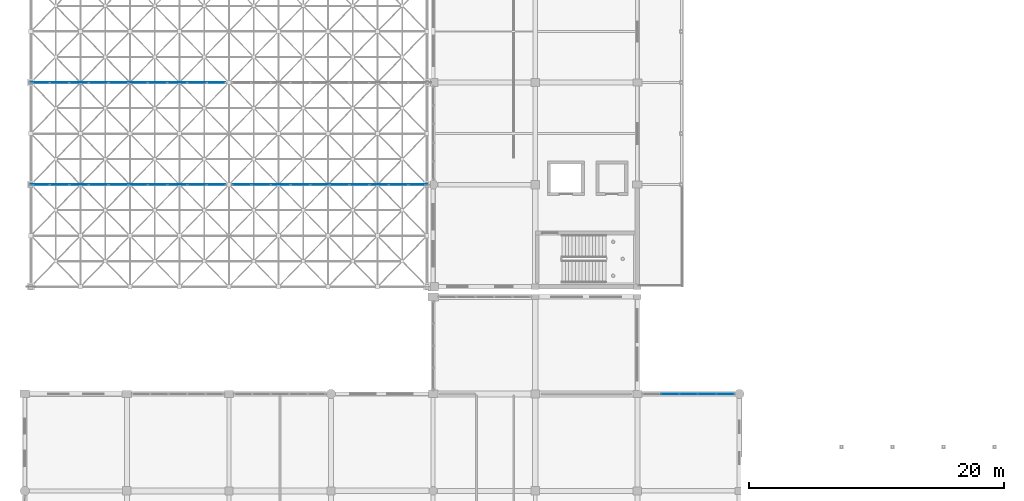
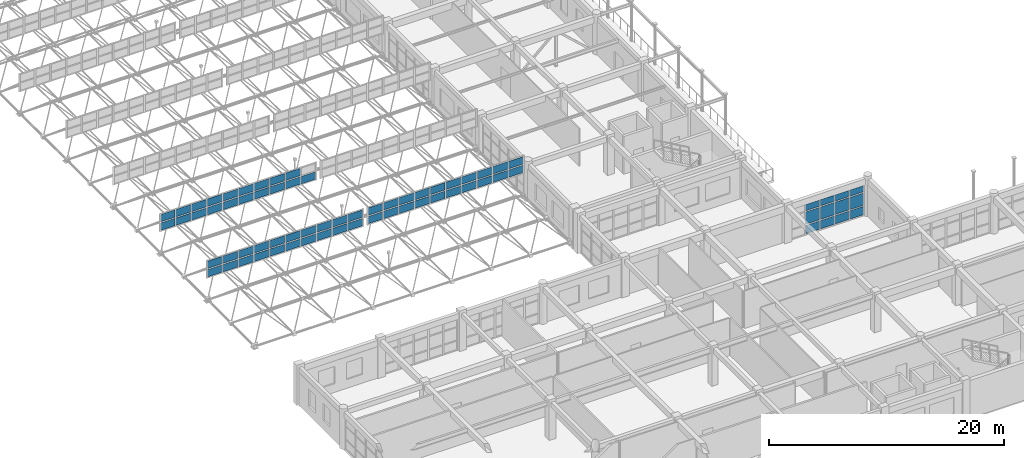
# One storey, part 143 of 195: 71 plates, 4 elements without a shape of their own.
"""IFC4 building model written with IfcOpenShell, lengths in metres."""

from ifc_helpers import new_model, si_unit, direction, frame, origin, origin_2d, place, context, subcontext, project, spatial, rectangle, extrude, material, layer, layer_set, type_object, element, aggregate, save


model = new_model("IFC4")

# Units and contexts
model_context = context("Model", 3, precision=1e-05, world=origin(), true_north=direction((0.0, 1.0)))
body_context = subcontext(model_context, "Body", "Model", "MODEL_VIEW")
ifc_project = project(units=[si_unit("LENGTHUNIT", "METRE"), si_unit("AREAUNIT", "SQUARE_METRE"), si_unit("VOLUMEUNIT", "CUBIC_METRE"), si_unit("PLANEANGLEUNIT", "RADIAN"), si_unit("MASSUNIT", "GRAM", prefix="KILO")], contexts=[model_context])

# Site, building, storey
site_placement = place(None, origin())
site = spatial("IfcSite", under=ifc_project, at=site_placement, CompositionType="ELEMENT")
building_placement = place(site_placement, origin())
building = spatial("IfcBuilding", under=site, at=building_placement, Name="Kharva Crest Polytechnic", CompositionType="ELEMENT")
storey_placement = place(building_placement, frame((0.0, 0.0, 9.0)))
storey = spatial("IfcBuildingStorey", under=building, at=storey_placement, Name="L02", CompositionType="ELEMENT", Elevation=9.0)

# Curtain wall, plates
ifc_material = material(Name="Tempered insulated glass", Category="glass")
curtain_wall_type_1 = type_object("IfcCurtainWallType", Name="CW-SYS-COURT", PredefinedType="USERDEFINED", material=ifc_material)
curtain_wall_1_placement = place(storey_placement, origin())
curtain_wall_1 = element("IfcCurtainWall", 1, at=curtain_wall_1_placement, inside=storey, type_object=curtain_wall_type_1, Name="L02 Glazed Curtain Wall CW-086", ObjectType="CURTAIN WALL", PredefinedType="USERDEFINED")
ifc_layer_1 = layer(ifc_material, 0.02392578125, Name="Tempered insulated glass")
ifc_layer_set_1 = layer_set([ifc_layer_1], Name="Tempered insulated glass")
plate_type_1 = type_object("IfcPlateType", Name="CWP-GLZ-24", PredefinedType="CURTAIN_PANEL", material=ifc_layer_set_1)
plate_1_placement = place(storey_placement, frame((54.887939453125, 30.39990234375, 0.119873046875), z_axis=(0.0, 0.0, 1.0), x_axis=(-1.0, 0.0, 0.0)))
plate_1 = element("IfcPlate", 2, at=plate_1_placement, type_object=plate_type_1, Name="CW-086 panel 1.1", PredefinedType="CURTAIN_PANEL", context=body_context, shape_type="SweptSolid", body=[
    extrude(rectangle(XDim=1.333984375, YDim=0.02392578125, at=origin_2d()), origin(), (0.0, 0.0, 1.0), 0.8701171875),
])
plate_2_placement = place(storey_placement, frame((54.887939453125, 30.39990234375, 1.10986328125), z_axis=(0.0, 0.0, 1.0), x_axis=(-1.0, 0.0, 0.0)))
plate_2 = element("IfcPlate", 3, at=plate_2_placement, type_object=plate_type_1, Name="CW-086 panel 1.2", PredefinedType="CURTAIN_PANEL", context=body_context, shape_type="SweptSolid", body=[
    extrude(rectangle(XDim=1.333984375, YDim=0.02392578125, at=origin_2d()), origin(), (0.0, 0.0, 1.0), 1.280029296875),
])
plate_3_placement = place(storey_placement, frame((54.887939453125, 30.39990234375, 2.51025390625), z_axis=(0.0, 0.0, 1.0), x_axis=(-1.0, 0.0, 0.0)))
plate_3 = element("IfcPlate", 4, at=plate_3_placement, type_object=plate_type_1, Name="CW-086 panel 1.3", PredefinedType="CURTAIN_PANEL", context=body_context, shape_type="SweptSolid", body=[
    extrude(rectangle(XDim=1.333984375, YDim=0.02392578125, at=origin_2d()), origin(), (0.0, 0.0, 1.0), 0.639892578125),
])
plate_4_placement = place(storey_placement, frame((53.4541015625, 30.39990234375, 0.119873046875), z_axis=(0.0, 0.0, 1.0), x_axis=(-1.0, 0.0, 0.0)))
plate_4 = element("IfcPlate", 5, at=plate_4_placement, type_object=plate_type_1, Name="CW-086 panel 2.1", PredefinedType="CURTAIN_PANEL", context=body_context, shape_type="SweptSolid", body=[
    extrude(rectangle(XDim=1.3740234375, YDim=0.02392578125, at=origin_2d()), origin(), (0.0, 0.0, 1.0), 0.8701171875),
])
plate_5_placement = place(storey_placement, frame((53.4541015625, 30.39990234375, 1.10986328125), z_axis=(0.0, 0.0, 1.0), x_axis=(-1.0, 0.0, 0.0)))
plate_5 = element("IfcPlate", 6, at=plate_5_placement, type_object=plate_type_1, Name="CW-086 panel 2.2", PredefinedType="CURTAIN_PANEL", context=body_context, shape_type="SweptSolid", body=[
    extrude(rectangle(XDim=1.3740234375, YDim=0.02392578125, at=origin_2d()), origin(), (0.0, 0.0, 1.0), 1.280029296875),
])
plate_6_placement = place(storey_placement, frame((53.4541015625, 30.39990234375, 2.51025390625), z_axis=(0.0, 0.0, 1.0), x_axis=(-1.0, 0.0, 0.0)))
plate_6 = element("IfcPlate", 7, at=plate_6_placement, type_object=plate_type_1, Name="CW-086 panel 2.3", PredefinedType="CURTAIN_PANEL", context=body_context, shape_type="SweptSolid", body=[
    extrude(rectangle(XDim=1.3740234375, YDim=0.02392578125, at=origin_2d()), origin(), (0.0, 0.0, 1.0), 0.639892578125),
])
plate_7_placement = place(storey_placement, frame((52.0, 30.39990234375, 0.119873046875), z_axis=(0.0, 0.0, 1.0), x_axis=(-1.0, 0.0, 0.0)))
plate_7 = element("IfcPlate", 8, at=plate_7_placement, type_object=plate_type_1, Name="CW-086 panel 3.1", PredefinedType="CURTAIN_PANEL", context=body_context, shape_type="SweptSolid", body=[
    extrude(rectangle(XDim=1.3740234375, YDim=0.02392578125, at=origin_2d()), origin(), (0.0, 0.0, 1.0), 0.8701171875),
])
plate_8_placement = place(storey_placement, frame((52.0, 30.39990234375, 1.10986328125), z_axis=(0.0, 0.0, 1.0), x_axis=(-1.0, 0.0, 0.0)))
plate_8 = element("IfcPlate", 9, at=plate_8_placement, type_object=plate_type_1, Name="CW-086 panel 3.2", PredefinedType="CURTAIN_PANEL", context=body_context, shape_type="SweptSolid", body=[
    extrude(rectangle(XDim=1.3740234375, YDim=0.02392578125, at=origin_2d()), origin(), (0.0, 0.0, 1.0), 1.280029296875),
])
plate_9_placement = place(storey_placement, frame((52.0, 30.39990234375, 2.51025390625), z_axis=(0.0, 0.0, 1.0), x_axis=(-1.0, 0.0, 0.0)))
plate_9 = element("IfcPlate", 10, at=plate_9_placement, type_object=plate_type_1, Name="CW-086 panel 3.3", PredefinedType="CURTAIN_PANEL", context=body_context, shape_type="SweptSolid", body=[
    extrude(rectangle(XDim=1.3740234375, YDim=0.02392578125, at=origin_2d()), origin(), (0.0, 0.0, 1.0), 0.639892578125),
])
plate_10_placement = place(storey_placement, frame((50.5458984375, 30.39990234375, 0.119873046875), z_axis=(0.0, 0.0, 1.0), x_axis=(-1.0, 0.0, 0.0)))
plate_10 = element("IfcPlate", 11, at=plate_10_placement, type_object=plate_type_1, Name="CW-086 panel 4.1", PredefinedType="CURTAIN_PANEL", context=body_context, shape_type="SweptSolid", body=[
    extrude(rectangle(XDim=1.3740234375, YDim=0.02392578125, at=origin_2d()), origin(), (0.0, 0.0, 1.0), 0.8701171875),
])
plate_11_placement = place(storey_placement, frame((50.5458984375, 30.39990234375, 1.10986328125), z_axis=(0.0, 0.0, 1.0), x_axis=(-1.0, 0.0, 0.0)))
plate_11 = element("IfcPlate", 12, at=plate_11_placement, type_object=plate_type_1, Name="CW-086 panel 4.2", PredefinedType="CURTAIN_PANEL", context=body_context, shape_type="SweptSolid", body=[
    extrude(rectangle(XDim=1.3740234375, YDim=0.02392578125, at=origin_2d()), origin(), (0.0, 0.0, 1.0), 1.280029296875),
])
plate_12_placement = place(storey_placement, frame((50.5458984375, 30.39990234375, 2.51025390625), z_axis=(0.0, 0.0, 1.0), x_axis=(-1.0, 0.0, 0.0)))
plate_12 = element("IfcPlate", 13, at=plate_12_placement, type_object=plate_type_1, Name="CW-086 panel 4.3", PredefinedType="CURTAIN_PANEL", context=body_context, shape_type="SweptSolid", body=[
    extrude(rectangle(XDim=1.3740234375, YDim=0.02392578125, at=origin_2d()), origin(), (0.0, 0.0, 1.0), 0.639892578125),
])
aggregate(curtain_wall_1, [plate_1, plate_2, plate_3, plate_4, plate_5, plate_6, plate_7, plate_8, plate_9, plate_10, plate_11, plate_12])

curtain_wall_type_2 = type_object("IfcCurtainWallType", Name="CW-SYS-NORTHLIGHT", PredefinedType="USERDEFINED", material=ifc_material)
curtain_wall_2_placement = place(storey_placement, origin())
curtain_wall_2 = element("IfcCurtainWall", 14, at=curtain_wall_2_placement, inside=storey, type_object=curtain_wall_type_2, Name="L02 Glazed Curtain Wall CW-189", ObjectType="CURTAIN WALL", PredefinedType="USERDEFINED")
ifc_layer_2 = layer(ifc_material, 0.028076171875, Name="Tempered insulated glass")
ifc_layer_set_2 = layer_set([ifc_layer_2], Name="Tempered insulated glass")
plate_type_2 = type_object("IfcPlateType", Name="CWP-GLZ-28", PredefinedType="CURTAIN_PANEL", material=ifc_layer_set_2)
plate_13_placement = place(storey_placement, frame((1.18994140625, 46.800048828125, 2.969970703125), z_axis=(0.0, 0.0, 1.0), x_axis=(1.0, 0.0, 0.0)))
plate_13 = element("IfcPlate", 15, at=plate_13_placement, type_object=plate_type_2, Name="CW-189 panel 1.1", PredefinedType="CURTAIN_PANEL", context=body_context, shape_type="SweptSolid", body=[
    extrude(rectangle(XDim=1.419921875, YDim=0.028076171875, at=origin_2d()), origin(), (0.0, 0.0, 1.0), 0.77001953125),
])
plate_14_placement = place(storey_placement, frame((1.18994140625, 46.800048828125, 3.860107421875), z_axis=(0.0, 0.0, 1.0), x_axis=(1.0, 0.0, 0.0)))
plate_14 = element("IfcPlate", 16, at=plate_14_placement, type_object=plate_type_2, Name="CW-189 panel 1.2", PredefinedType="CURTAIN_PANEL", context=body_context, shape_type="SweptSolid", body=[
    extrude(rectangle(XDim=1.419921875, YDim=0.028076171875, at=origin_2d()), origin(), (0.0, 0.0, 1.0), 0.77001953125),
])
plate_15_placement = place(storey_placement, frame((2.7099609375, 46.800048828125, 2.969970703125), z_axis=(0.0, 0.0, 1.0), x_axis=(1.0, 0.0, 0.0)))
plate_15 = element("IfcPlate", 17, at=plate_15_placement, type_object=plate_type_2, Name="CW-189 panel 2.1", PredefinedType="CURTAIN_PANEL", context=body_context, shape_type="SweptSolid", body=[
    extrude(rectangle(XDim=1.4599609375, YDim=0.028076171875, at=origin_2d()), origin(), (0.0, 0.0, 1.0), 0.77001953125),
])
plate_16_placement = place(storey_placement, frame((2.7099609375, 46.800048828125, 3.860107421875), z_axis=(0.0, 0.0, 1.0), x_axis=(1.0, 0.0, 0.0)))
plate_16 = element("IfcPlate", 18, at=plate_16_placement, type_object=plate_type_2, Name="CW-189 panel 2.2", PredefinedType="CURTAIN_PANEL", context=body_context, shape_type="SweptSolid", body=[
    extrude(rectangle(XDim=1.4599609375, YDim=0.028076171875, at=origin_2d()), origin(), (0.0, 0.0, 1.0), 0.77001953125),
])
plate_17_placement = place(storey_placement, frame((4.25, 46.800048828125, 2.969970703125), z_axis=(0.0, 0.0, 1.0), x_axis=(1.0, 0.0, 0.0)))
plate_17 = element("IfcPlate", 19, at=plate_17_placement, type_object=plate_type_2, Name="CW-189 panel 3.1", PredefinedType="CURTAIN_PANEL", context=body_context, shape_type="SweptSolid", body=[
    extrude(rectangle(XDim=1.4599609375, YDim=0.028076171875, at=origin_2d()), origin(), (0.0, 0.0, 1.0), 0.77001953125),
])
plate_18_placement = place(storey_placement, frame((4.25, 46.800048828125, 3.860107421875), z_axis=(0.0, 0.0, 1.0), x_axis=(1.0, 0.0, 0.0)))
plate_18 = element("IfcPlate", 20, at=plate_18_placement, type_object=plate_type_2, Name="CW-189 panel 3.2", PredefinedType="CURTAIN_PANEL", context=body_context, shape_type="SweptSolid", body=[
    extrude(rectangle(XDim=1.4599609375, YDim=0.028076171875, at=origin_2d()), origin(), (0.0, 0.0, 1.0), 0.77001953125),
])
plate_19_placement = place(storey_placement, frame((5.7900390625, 46.800048828125, 2.969970703125), z_axis=(0.0, 0.0, 1.0), x_axis=(1.0, 0.0, 0.0)))
plate_19 = element("IfcPlate", 21, at=plate_19_placement, type_object=plate_type_2, Name="CW-189 panel 4.1", PredefinedType="CURTAIN_PANEL", context=body_context, shape_type="SweptSolid", body=[
    extrude(rectangle(XDim=1.4599609375, YDim=0.028076171875, at=origin_2d()), origin(), (0.0, 0.0, 1.0), 0.77001953125),
])
plate_20_placement = place(storey_placement, frame((5.7900390625, 46.800048828125, 3.860107421875), z_axis=(0.0, 0.0, 1.0), x_axis=(1.0, 0.0, 0.0)))
plate_20 = element("IfcPlate", 22, at=plate_20_placement, type_object=plate_type_2, Name="CW-189 panel 4.2", PredefinedType="CURTAIN_PANEL", context=body_context, shape_type="SweptSolid", body=[
    extrude(rectangle(XDim=1.4599609375, YDim=0.028076171875, at=origin_2d()), origin(), (0.0, 0.0, 1.0), 0.77001953125),
])
plate_21_placement = place(storey_placement, frame((7.330078125, 46.800048828125, 2.969970703125), z_axis=(0.0, 0.0, 1.0), x_axis=(1.0, 0.0, 0.0)))
plate_21 = element("IfcPlate", 23, at=plate_21_placement, type_object=plate_type_2, Name="CW-189 panel 5.1", PredefinedType="CURTAIN_PANEL", context=body_context, shape_type="SweptSolid", body=[
    extrude(rectangle(XDim=1.4599609375, YDim=0.028076171875, at=origin_2d()), origin(), (0.0, 0.0, 1.0), 0.77001953125),
])
plate_22_placement = place(storey_placement, frame((7.330078125, 46.800048828125, 3.860107421875), z_axis=(0.0, 0.0, 1.0), x_axis=(1.0, 0.0, 0.0)))
plate_22 = element("IfcPlate", 24, at=plate_22_placement, type_object=plate_type_2, Name="CW-189 panel 5.2", PredefinedType="CURTAIN_PANEL", context=body_context, shape_type="SweptSolid", body=[
    extrude(rectangle(XDim=1.4599609375, YDim=0.028076171875, at=origin_2d()), origin(), (0.0, 0.0, 1.0), 0.77001953125),
])
plate_23_placement = place(storey_placement, frame((8.8701171875, 46.800048828125, 2.969970703125), z_axis=(0.0, 0.0, 1.0), x_axis=(1.0, 0.0, 0.0)))
plate_23 = element("IfcPlate", 25, at=plate_23_placement, type_object=plate_type_2, Name="CW-189 panel 6.1", PredefinedType="CURTAIN_PANEL", context=body_context, shape_type="SweptSolid", body=[
    extrude(rectangle(XDim=1.4599609375, YDim=0.028076171875, at=origin_2d()), origin(), (0.0, 0.0, 1.0), 0.77001953125),
])
plate_24_placement = place(storey_placement, frame((8.8701171875, 46.800048828125, 3.860107421875), z_axis=(0.0, 0.0, 1.0), x_axis=(1.0, 0.0, 0.0)))
plate_24 = element("IfcPlate", 26, at=plate_24_placement, type_object=plate_type_2, Name="CW-189 panel 6.2", PredefinedType="CURTAIN_PANEL", context=body_context, shape_type="SweptSolid", body=[
    extrude(rectangle(XDim=1.4599609375, YDim=0.028076171875, at=origin_2d()), origin(), (0.0, 0.0, 1.0), 0.77001953125),
])
plate_25_placement = place(storey_placement, frame((10.409912109375, 46.800048828125, 2.969970703125), z_axis=(0.0, 0.0, 1.0), x_axis=(1.0, 0.0, 0.0)))
plate_25 = element("IfcPlate", 27, at=plate_25_placement, type_object=plate_type_2, Name="CW-189 panel 7.1", PredefinedType="CURTAIN_PANEL", context=body_context, shape_type="SweptSolid", body=[
    extrude(rectangle(XDim=1.4599609375, YDim=0.028076171875, at=origin_2d()), origin(), (0.0, 0.0, 1.0), 0.77001953125),
])
plate_26_placement = place(storey_placement, frame((10.409912109375, 46.800048828125, 3.860107421875), z_axis=(0.0, 0.0, 1.0), x_axis=(1.0, 0.0, 0.0)))
plate_26 = element("IfcPlate", 28, at=plate_26_placement, type_object=plate_type_2, Name="CW-189 panel 7.2", PredefinedType="CURTAIN_PANEL", context=body_context, shape_type="SweptSolid", body=[
    extrude(rectangle(XDim=1.4599609375, YDim=0.028076171875, at=origin_2d()), origin(), (0.0, 0.0, 1.0), 0.77001953125),
])
plate_27_placement = place(storey_placement, frame((11.949951171875, 46.800048828125, 2.969970703125), z_axis=(0.0, 0.0, 1.0), x_axis=(1.0, 0.0, 0.0)))
plate_27 = element("IfcPlate", 29, at=plate_27_placement, type_object=plate_type_2, Name="CW-189 panel 8.1", PredefinedType="CURTAIN_PANEL", context=body_context, shape_type="SweptSolid", body=[
    extrude(rectangle(XDim=1.4599609375, YDim=0.028076171875, at=origin_2d()), origin(), (0.0, 0.0, 1.0), 0.77001953125),
])
plate_28_placement = place(storey_placement, frame((11.949951171875, 46.800048828125, 3.860107421875), z_axis=(0.0, 0.0, 1.0), x_axis=(1.0, 0.0, 0.0)))
plate_28 = element("IfcPlate", 30, at=plate_28_placement, type_object=plate_type_2, Name="CW-189 panel 8.2", PredefinedType="CURTAIN_PANEL", context=body_context, shape_type="SweptSolid", body=[
    extrude(rectangle(XDim=1.4599609375, YDim=0.028076171875, at=origin_2d()), origin(), (0.0, 0.0, 1.0), 0.77001953125),
])
plate_29_placement = place(storey_placement, frame((13.489990234375, 46.800048828125, 2.969970703125), z_axis=(0.0, 0.0, 1.0), x_axis=(1.0, 0.0, 0.0)))
plate_29 = element("IfcPlate", 31, at=plate_29_placement, type_object=plate_type_2, Name="CW-189 panel 9.1", PredefinedType="CURTAIN_PANEL", context=body_context, shape_type="SweptSolid", body=[
    extrude(rectangle(XDim=1.4599609375, YDim=0.028076171875, at=origin_2d()), origin(), (0.0, 0.0, 1.0), 0.77001953125),
])
plate_30_placement = place(storey_placement, frame((13.489990234375, 46.800048828125, 3.860107421875), z_axis=(0.0, 0.0, 1.0), x_axis=(1.0, 0.0, 0.0)))
plate_30 = element("IfcPlate", 32, at=plate_30_placement, type_object=plate_type_2, Name="CW-189 panel 9.2", PredefinedType="CURTAIN_PANEL", context=body_context, shape_type="SweptSolid", body=[
    extrude(rectangle(XDim=1.4599609375, YDim=0.028076171875, at=origin_2d()), origin(), (0.0, 0.0, 1.0), 0.77001953125),
])
plate_31_placement = place(storey_placement, frame((15.010009765625, 46.800048828125, 2.969970703125), z_axis=(0.0, 0.0, 1.0), x_axis=(1.0, 0.0, 0.0)))
plate_31 = element("IfcPlate", 33, at=plate_31_placement, type_object=plate_type_2, Name="CW-189 panel 10.1", PredefinedType="CURTAIN_PANEL", context=body_context, shape_type="SweptSolid", body=[
    extrude(rectangle(XDim=1.419921875, YDim=0.028076171875, at=origin_2d()), origin(), (0.0, 0.0, 1.0), 0.77001953125),
])
plate_32_placement = place(storey_placement, frame((15.010009765625, 46.800048828125, 3.860107421875), z_axis=(0.0, 0.0, 1.0), x_axis=(1.0, 0.0, 0.0)))
plate_32 = element("IfcPlate", 34, at=plate_32_placement, type_object=plate_type_2, Name="CW-189 panel 10.2", PredefinedType="CURTAIN_PANEL", context=body_context, shape_type="SweptSolid", body=[
    extrude(rectangle(XDim=1.419921875, YDim=0.028076171875, at=origin_2d()), origin(), (0.0, 0.0, 1.0), 0.77001953125),
])
aggregate(curtain_wall_2, [plate_13, plate_14, plate_15, plate_16, plate_17, plate_18, plate_19, plate_20, plate_21, plate_22, plate_23, plate_24, plate_25, plate_26, plate_27, plate_28, plate_29, plate_30, plate_31, plate_32])

curtain_wall_3_placement = place(storey_placement, origin())
curtain_wall_3 = element("IfcCurtainWall", 35, at=curtain_wall_3_placement, inside=storey, type_object=curtain_wall_type_2, Name="L02 Glazed Curtain Wall CW-190", ObjectType="CURTAIN WALL", PredefinedType="USERDEFINED")
plate_33_placement = place(storey_placement, frame((16.989990234375, 46.800048828125, 2.969970703125), z_axis=(0.0, 0.0, 1.0), x_axis=(1.0, 0.0, 0.0)))
plate_33 = element("IfcPlate", 36, at=plate_33_placement, type_object=plate_type_2, Name="CW-190 panel 1.1", PredefinedType="CURTAIN_PANEL", context=body_context, shape_type="SweptSolid", body=[
    extrude(rectangle(XDim=1.419921875, YDim=0.028076171875, at=origin_2d()), origin(), (0.0, 0.0, 1.0), 0.77001953125),
])
plate_34_placement = place(storey_placement, frame((16.989990234375, 46.800048828125, 3.860107421875), z_axis=(0.0, 0.0, 1.0), x_axis=(1.0, 0.0, 0.0)))
plate_34 = element("IfcPlate", 37, at=plate_34_placement, type_object=plate_type_2, Name="CW-190 panel 1.2", PredefinedType="CURTAIN_PANEL", context=body_context, shape_type="SweptSolid", body=[
    extrude(rectangle(XDim=1.419921875, YDim=0.028076171875, at=origin_2d()), origin(), (0.0, 0.0, 1.0), 0.77001953125),
])
plate_35_placement = place(storey_placement, frame((18.510009765625, 46.800048828125, 2.969970703125), z_axis=(0.0, 0.0, 1.0), x_axis=(1.0, 0.0, 0.0)))
plate_35 = element("IfcPlate", 38, at=plate_35_placement, type_object=plate_type_2, Name="CW-190 panel 2.1", PredefinedType="CURTAIN_PANEL", context=body_context, shape_type="SweptSolid", body=[
    extrude(rectangle(XDim=1.4599609375, YDim=0.028076171875, at=origin_2d()), origin(), (0.0, 0.0, 1.0), 0.77001953125),
])
plate_36_placement = place(storey_placement, frame((18.510009765625, 46.800048828125, 3.860107421875), z_axis=(0.0, 0.0, 1.0), x_axis=(1.0, 0.0, 0.0)))
plate_36 = element("IfcPlate", 39, at=plate_36_placement, type_object=plate_type_2, Name="CW-190 panel 2.2", PredefinedType="CURTAIN_PANEL", context=body_context, shape_type="SweptSolid", body=[
    extrude(rectangle(XDim=1.4599609375, YDim=0.028076171875, at=origin_2d()), origin(), (0.0, 0.0, 1.0), 0.77001953125),
])
plate_37_placement = place(storey_placement, frame((20.050048828125, 46.800048828125, 2.969970703125), z_axis=(0.0, 0.0, 1.0), x_axis=(1.0, 0.0, 0.0)))
plate_37 = element("IfcPlate", 40, at=plate_37_placement, type_object=plate_type_2, Name="CW-190 panel 3.1", PredefinedType="CURTAIN_PANEL", context=body_context, shape_type="SweptSolid", body=[
    extrude(rectangle(XDim=1.4599609375, YDim=0.028076171875, at=origin_2d()), origin(), (0.0, 0.0, 1.0), 0.77001953125),
])
plate_38_placement = place(storey_placement, frame((20.050048828125, 46.800048828125, 3.860107421875), z_axis=(0.0, 0.0, 1.0), x_axis=(1.0, 0.0, 0.0)))
plate_38 = element("IfcPlate", 41, at=plate_38_placement, type_object=plate_type_2, Name="CW-190 panel 3.2", PredefinedType="CURTAIN_PANEL", context=body_context, shape_type="SweptSolid", body=[
    extrude(rectangle(XDim=1.4599609375, YDim=0.028076171875, at=origin_2d()), origin(), (0.0, 0.0, 1.0), 0.77001953125),
])
plate_39_placement = place(storey_placement, frame((21.590087890625, 46.800048828125, 2.969970703125), z_axis=(0.0, 0.0, 1.0), x_axis=(1.0, 0.0, 0.0)))
plate_39 = element("IfcPlate", 42, at=plate_39_placement, type_object=plate_type_2, Name="CW-190 panel 4.1", PredefinedType="CURTAIN_PANEL", context=body_context, shape_type="SweptSolid", body=[
    extrude(rectangle(XDim=1.4599609375, YDim=0.028076171875, at=origin_2d()), origin(), (0.0, 0.0, 1.0), 0.77001953125),
])
plate_40_placement = place(storey_placement, frame((21.590087890625, 46.800048828125, 3.860107421875), z_axis=(0.0, 0.0, 1.0), x_axis=(1.0, 0.0, 0.0)))
plate_40 = element("IfcPlate", 43, at=plate_40_placement, type_object=plate_type_2, Name="CW-190 panel 4.2", PredefinedType="CURTAIN_PANEL", context=body_context, shape_type="SweptSolid", body=[
    extrude(rectangle(XDim=1.4599609375, YDim=0.028076171875, at=origin_2d()), origin(), (0.0, 0.0, 1.0), 0.77001953125),
])
plate_41_placement = place(storey_placement, frame((23.1298828125, 46.800048828125, 2.969970703125), z_axis=(0.0, 0.0, 1.0), x_axis=(1.0, 0.0, 0.0)))
plate_41 = element("IfcPlate", 44, at=plate_41_placement, type_object=plate_type_2, Name="CW-190 panel 5.1", PredefinedType="CURTAIN_PANEL", context=body_context, shape_type="SweptSolid", body=[
    extrude(rectangle(XDim=1.4599609375, YDim=0.028076171875, at=origin_2d()), origin(), (0.0, 0.0, 1.0), 0.77001953125),
])
plate_42_placement = place(storey_placement, frame((23.1298828125, 46.800048828125, 3.860107421875), z_axis=(0.0, 0.0, 1.0), x_axis=(1.0, 0.0, 0.0)))
plate_42 = element("IfcPlate", 45, at=plate_42_placement, type_object=plate_type_2, Name="CW-190 panel 5.2", PredefinedType="CURTAIN_PANEL", context=body_context, shape_type="SweptSolid", body=[
    extrude(rectangle(XDim=1.4599609375, YDim=0.028076171875, at=origin_2d()), origin(), (0.0, 0.0, 1.0), 0.77001953125),
])
plate_43_placement = place(storey_placement, frame((24.669921875, 46.800048828125, 2.969970703125), z_axis=(0.0, 0.0, 1.0), x_axis=(1.0, 0.0, 0.0)))
plate_43 = element("IfcPlate", 46, at=plate_43_placement, type_object=plate_type_2, Name="CW-190 panel 6.1", PredefinedType="CURTAIN_PANEL", context=body_context, shape_type="SweptSolid", body=[
    extrude(rectangle(XDim=1.4599609375, YDim=0.028076171875, at=origin_2d()), origin(), (0.0, 0.0, 1.0), 0.77001953125),
])
plate_44_placement = place(storey_placement, frame((24.669921875, 46.800048828125, 3.860107421875), z_axis=(0.0, 0.0, 1.0), x_axis=(1.0, 0.0, 0.0)))
plate_44 = element("IfcPlate", 47, at=plate_44_placement, type_object=plate_type_2, Name="CW-190 panel 6.2", PredefinedType="CURTAIN_PANEL", context=body_context, shape_type="SweptSolid", body=[
    extrude(rectangle(XDim=1.4599609375, YDim=0.028076171875, at=origin_2d()), origin(), (0.0, 0.0, 1.0), 0.77001953125),
])
plate_45_placement = place(storey_placement, frame((26.2099609375, 46.800048828125, 2.969970703125), z_axis=(0.0, 0.0, 1.0), x_axis=(1.0, 0.0, 0.0)))
plate_45 = element("IfcPlate", 48, at=plate_45_placement, type_object=plate_type_2, Name="CW-190 panel 7.1", PredefinedType="CURTAIN_PANEL", context=body_context, shape_type="SweptSolid", body=[
    extrude(rectangle(XDim=1.4599609375, YDim=0.028076171875, at=origin_2d()), origin(), (0.0, 0.0, 1.0), 0.77001953125),
])
plate_46_placement = place(storey_placement, frame((26.2099609375, 46.800048828125, 3.860107421875), z_axis=(0.0, 0.0, 1.0), x_axis=(1.0, 0.0, 0.0)))
plate_46 = element("IfcPlate", 49, at=plate_46_placement, type_object=plate_type_2, Name="CW-190 panel 7.2", PredefinedType="CURTAIN_PANEL", context=body_context, shape_type="SweptSolid", body=[
    extrude(rectangle(XDim=1.4599609375, YDim=0.028076171875, at=origin_2d()), origin(), (0.0, 0.0, 1.0), 0.77001953125),
])
plate_47_placement = place(storey_placement, frame((27.75, 46.800048828125, 2.969970703125), z_axis=(0.0, 0.0, 1.0), x_axis=(1.0, 0.0, 0.0)))
plate_47 = element("IfcPlate", 50, at=plate_47_placement, type_object=plate_type_2, Name="CW-190 panel 8.1", PredefinedType="CURTAIN_PANEL", context=body_context, shape_type="SweptSolid", body=[
    extrude(rectangle(XDim=1.4599609375, YDim=0.028076171875, at=origin_2d()), origin(), (0.0, 0.0, 1.0), 0.77001953125),
])
plate_48_placement = place(storey_placement, frame((27.75, 46.800048828125, 3.860107421875), z_axis=(0.0, 0.0, 1.0), x_axis=(1.0, 0.0, 0.0)))
plate_48 = element("IfcPlate", 51, at=plate_48_placement, type_object=plate_type_2, Name="CW-190 panel 8.2", PredefinedType="CURTAIN_PANEL", context=body_context, shape_type="SweptSolid", body=[
    extrude(rectangle(XDim=1.4599609375, YDim=0.028076171875, at=origin_2d()), origin(), (0.0, 0.0, 1.0), 0.77001953125),
])
plate_49_placement = place(storey_placement, frame((29.2900390625, 46.800048828125, 2.969970703125), z_axis=(0.0, 0.0, 1.0), x_axis=(1.0, 0.0, 0.0)))
plate_49 = element("IfcPlate", 52, at=plate_49_placement, type_object=plate_type_2, Name="CW-190 panel 9.1", PredefinedType="CURTAIN_PANEL", context=body_context, shape_type="SweptSolid", body=[
    extrude(rectangle(XDim=1.4599609375, YDim=0.028076171875, at=origin_2d()), origin(), (0.0, 0.0, 1.0), 0.77001953125),
])
plate_50_placement = place(storey_placement, frame((29.2900390625, 46.800048828125, 3.860107421875), z_axis=(0.0, 0.0, 1.0), x_axis=(1.0, 0.0, 0.0)))
plate_50 = element("IfcPlate", 53, at=plate_50_placement, type_object=plate_type_2, Name="CW-190 panel 9.2", PredefinedType="CURTAIN_PANEL", context=body_context, shape_type="SweptSolid", body=[
    extrude(rectangle(XDim=1.4599609375, YDim=0.028076171875, at=origin_2d()), origin(), (0.0, 0.0, 1.0), 0.77001953125),
])
plate_51_placement = place(storey_placement, frame((30.81005859375, 46.800048828125, 2.969970703125), z_axis=(0.0, 0.0, 1.0), x_axis=(1.0, 0.0, 0.0)))
plate_51 = element("IfcPlate", 54, at=plate_51_placement, type_object=plate_type_2, Name="CW-190 panel 10.1", PredefinedType="CURTAIN_PANEL", context=body_context, shape_type="SweptSolid", body=[
    extrude(rectangle(XDim=1.419921875, YDim=0.028076171875, at=origin_2d()), origin(), (0.0, 0.0, 1.0), 0.77001953125),
])
plate_52_placement = place(storey_placement, frame((30.81005859375, 46.800048828125, 3.860107421875), z_axis=(0.0, 0.0, 1.0), x_axis=(1.0, 0.0, 0.0)))
plate_52 = element("IfcPlate", 55, at=plate_52_placement, type_object=plate_type_2, Name="CW-190 panel 10.2", PredefinedType="CURTAIN_PANEL", context=body_context, shape_type="SweptSolid", body=[
    extrude(rectangle(XDim=1.419921875, YDim=0.028076171875, at=origin_2d()), origin(), (0.0, 0.0, 1.0), 0.77001953125),
])
aggregate(curtain_wall_3, [plate_33, plate_34, plate_35, plate_36, plate_37, plate_38, plate_39, plate_40, plate_41, plate_42, plate_43, plate_44, plate_45, plate_46, plate_47, plate_48, plate_49, plate_50, plate_51, plate_52])

curtain_wall_4_placement = place(storey_placement, origin())
curtain_wall_4 = element("IfcCurtainWall", 56, at=curtain_wall_4_placement, inside=storey, type_object=curtain_wall_type_2, Name="L02 Glazed Curtain Wall CW-191", ObjectType="CURTAIN WALL", PredefinedType="USERDEFINED")
plate_53_placement = place(storey_placement, frame((1.18994140625, 54.800048828125, 2.969970703125), z_axis=(0.0, 0.0, 1.0), x_axis=(1.0, 0.0, 0.0)))
plate_53 = element("IfcPlate", 57, at=plate_53_placement, type_object=plate_type_2, Name="CW-191 panel 1.1", PredefinedType="CURTAIN_PANEL", context=body_context, shape_type="SweptSolid", body=[
    extrude(rectangle(XDim=1.419921875, YDim=0.028076171875, at=origin_2d()), origin(), (0.0, 0.0, 1.0), 0.77001953125),
])
plate_54_placement = place(storey_placement, frame((1.18994140625, 54.800048828125, 3.860107421875), z_axis=(0.0, 0.0, 1.0), x_axis=(1.0, 0.0, 0.0)))
plate_54 = element("IfcPlate", 58, at=plate_54_placement, type_object=plate_type_2, Name="CW-191 panel 1.2", PredefinedType="CURTAIN_PANEL", context=body_context, shape_type="SweptSolid", body=[
    extrude(rectangle(XDim=1.419921875, YDim=0.028076171875, at=origin_2d()), origin(), (0.0, 0.0, 1.0), 0.77001953125),
])
plate_55_placement = place(storey_placement, frame((2.7099609375, 54.800048828125, 2.969970703125), z_axis=(0.0, 0.0, 1.0), x_axis=(1.0, 0.0, 0.0)))
plate_55 = element("IfcPlate", 59, at=plate_55_placement, type_object=plate_type_2, Name="CW-191 panel 2.1", PredefinedType="CURTAIN_PANEL", context=body_context, shape_type="SweptSolid", body=[
    extrude(rectangle(XDim=1.4599609375, YDim=0.028076171875, at=origin_2d()), origin(), (0.0, 0.0, 1.0), 0.77001953125),
])
plate_56_placement = place(storey_placement, frame((2.7099609375, 54.800048828125, 3.860107421875), z_axis=(0.0, 0.0, 1.0), x_axis=(1.0, 0.0, 0.0)))
plate_56 = element("IfcPlate", 60, at=plate_56_placement, type_object=plate_type_2, Name="CW-191 panel 2.2", PredefinedType="CURTAIN_PANEL", context=body_context, shape_type="SweptSolid", body=[
    extrude(rectangle(XDim=1.4599609375, YDim=0.028076171875, at=origin_2d()), origin(), (0.0, 0.0, 1.0), 0.77001953125),
])
plate_57_placement = place(storey_placement, frame((4.25, 54.800048828125, 2.969970703125), z_axis=(0.0, 0.0, 1.0), x_axis=(1.0, 0.0, 0.0)))
plate_57 = element("IfcPlate", 61, at=plate_57_placement, type_object=plate_type_2, Name="CW-191 panel 3.1", PredefinedType="CURTAIN_PANEL", context=body_context, shape_type="SweptSolid", body=[
    extrude(rectangle(XDim=1.4599609375, YDim=0.028076171875, at=origin_2d()), origin(), (0.0, 0.0, 1.0), 0.77001953125),
])
plate_58_placement = place(storey_placement, frame((4.25, 54.800048828125, 3.860107421875), z_axis=(0.0, 0.0, 1.0), x_axis=(1.0, 0.0, 0.0)))
plate_58 = element("IfcPlate", 62, at=plate_58_placement, type_object=plate_type_2, Name="CW-191 panel 3.2", PredefinedType="CURTAIN_PANEL", context=body_context, shape_type="SweptSolid", body=[
    extrude(rectangle(XDim=1.4599609375, YDim=0.028076171875, at=origin_2d()), origin(), (0.0, 0.0, 1.0), 0.77001953125),
])
plate_59_placement = place(storey_placement, frame((5.7900390625, 54.800048828125, 2.969970703125), z_axis=(0.0, 0.0, 1.0), x_axis=(1.0, 0.0, 0.0)))
plate_59 = element("IfcPlate", 63, at=plate_59_placement, type_object=plate_type_2, Name="CW-191 panel 4.1", PredefinedType="CURTAIN_PANEL", context=body_context, shape_type="SweptSolid", body=[
    extrude(rectangle(XDim=1.4599609375, YDim=0.028076171875, at=origin_2d()), origin(), (0.0, 0.0, 1.0), 0.77001953125),
])
plate_60_placement = place(storey_placement, frame((5.7900390625, 54.800048828125, 3.860107421875), z_axis=(0.0, 0.0, 1.0), x_axis=(1.0, 0.0, 0.0)))
plate_60 = element("IfcPlate", 64, at=plate_60_placement, type_object=plate_type_2, Name="CW-191 panel 4.2", PredefinedType="CURTAIN_PANEL", context=body_context, shape_type="SweptSolid", body=[
    extrude(rectangle(XDim=1.4599609375, YDim=0.028076171875, at=origin_2d()), origin(), (0.0, 0.0, 1.0), 0.77001953125),
])
plate_61_placement = place(storey_placement, frame((7.330078125, 54.800048828125, 2.969970703125), z_axis=(0.0, 0.0, 1.0), x_axis=(1.0, 0.0, 0.0)))
plate_61 = element("IfcPlate", 65, at=plate_61_placement, type_object=plate_type_2, Name="CW-191 panel 5.1", PredefinedType="CURTAIN_PANEL", context=body_context, shape_type="SweptSolid", body=[
    extrude(rectangle(XDim=1.4599609375, YDim=0.028076171875, at=origin_2d()), origin(), (0.0, 0.0, 1.0), 0.77001953125),
])
plate_62_placement = place(storey_placement, frame((7.330078125, 54.800048828125, 3.860107421875), z_axis=(0.0, 0.0, 1.0), x_axis=(1.0, 0.0, 0.0)))
plate_62 = element("IfcPlate", 66, at=plate_62_placement, type_object=plate_type_2, Name="CW-191 panel 5.2", PredefinedType="CURTAIN_PANEL", context=body_context, shape_type="SweptSolid", body=[
    extrude(rectangle(XDim=1.4599609375, YDim=0.028076171875, at=origin_2d()), origin(), (0.0, 0.0, 1.0), 0.77001953125),
])
plate_63_placement = place(storey_placement, frame((8.8701171875, 54.800048828125, 2.969970703125), z_axis=(0.0, 0.0, 1.0), x_axis=(1.0, 0.0, 0.0)))
plate_63 = element("IfcPlate", 67, at=plate_63_placement, type_object=plate_type_2, Name="CW-191 panel 6.1", PredefinedType="CURTAIN_PANEL", context=body_context, shape_type="SweptSolid", body=[
    extrude(rectangle(XDim=1.4599609375, YDim=0.028076171875, at=origin_2d()), origin(), (0.0, 0.0, 1.0), 0.77001953125),
])
plate_64_placement = place(storey_placement, frame((8.8701171875, 54.800048828125, 3.860107421875), z_axis=(0.0, 0.0, 1.0), x_axis=(1.0, 0.0, 0.0)))
plate_64 = element("IfcPlate", 68, at=plate_64_placement, type_object=plate_type_2, Name="CW-191 panel 6.2", PredefinedType="CURTAIN_PANEL", context=body_context, shape_type="SweptSolid", body=[
    extrude(rectangle(XDim=1.4599609375, YDim=0.028076171875, at=origin_2d()), origin(), (0.0, 0.0, 1.0), 0.77001953125),
])
plate_65_placement = place(storey_placement, frame((10.409912109375, 54.800048828125, 2.969970703125), z_axis=(0.0, 0.0, 1.0), x_axis=(1.0, 0.0, 0.0)))
plate_65 = element("IfcPlate", 69, at=plate_65_placement, type_object=plate_type_2, Name="CW-191 panel 7.1", PredefinedType="CURTAIN_PANEL", context=body_context, shape_type="SweptSolid", body=[
    extrude(rectangle(XDim=1.4599609375, YDim=0.028076171875, at=origin_2d()), origin(), (0.0, 0.0, 1.0), 0.77001953125),
])
plate_66_placement = place(storey_placement, frame((10.409912109375, 54.800048828125, 3.860107421875), z_axis=(0.0, 0.0, 1.0), x_axis=(1.0, 0.0, 0.0)))
plate_66 = element("IfcPlate", 70, at=plate_66_placement, type_object=plate_type_2, Name="CW-191 panel 7.2", PredefinedType="CURTAIN_PANEL", context=body_context, shape_type="SweptSolid", body=[
    extrude(rectangle(XDim=1.4599609375, YDim=0.028076171875, at=origin_2d()), origin(), (0.0, 0.0, 1.0), 0.77001953125),
])
plate_67_placement = place(storey_placement, frame((11.949951171875, 54.800048828125, 2.969970703125), z_axis=(0.0, 0.0, 1.0), x_axis=(1.0, 0.0, 0.0)))
plate_67 = element("IfcPlate", 71, at=plate_67_placement, type_object=plate_type_2, Name="CW-191 panel 8.1", PredefinedType="CURTAIN_PANEL", context=body_context, shape_type="SweptSolid", body=[
    extrude(rectangle(XDim=1.4599609375, YDim=0.028076171875, at=origin_2d()), origin(), (0.0, 0.0, 1.0), 0.77001953125),
])
plate_68_placement = place(storey_placement, frame((11.949951171875, 54.800048828125, 3.860107421875), z_axis=(0.0, 0.0, 1.0), x_axis=(1.0, 0.0, 0.0)))
plate_68 = element("IfcPlate", 72, at=plate_68_placement, type_object=plate_type_2, Name="CW-191 panel 8.2", PredefinedType="CURTAIN_PANEL", context=body_context, shape_type="SweptSolid", body=[
    extrude(rectangle(XDim=1.4599609375, YDim=0.028076171875, at=origin_2d()), origin(), (0.0, 0.0, 1.0), 0.77001953125),
])
plate_69_placement = place(storey_placement, frame((13.489990234375, 54.800048828125, 2.969970703125), z_axis=(0.0, 0.0, 1.0), x_axis=(1.0, 0.0, 0.0)))
plate_69 = element("IfcPlate", 73, at=plate_69_placement, type_object=plate_type_2, Name="CW-191 panel 9.1", PredefinedType="CURTAIN_PANEL", context=body_context, shape_type="SweptSolid", body=[
    extrude(rectangle(XDim=1.4599609375, YDim=0.028076171875, at=origin_2d()), origin(), (0.0, 0.0, 1.0), 0.77001953125),
])
plate_70_placement = place(storey_placement, frame((13.489990234375, 54.800048828125, 3.860107421875), z_axis=(0.0, 0.0, 1.0), x_axis=(1.0, 0.0, 0.0)))
plate_70 = element("IfcPlate", 74, at=plate_70_placement, type_object=plate_type_2, Name="CW-191 panel 9.2", PredefinedType="CURTAIN_PANEL", context=body_context, shape_type="SweptSolid", body=[
    extrude(rectangle(XDim=1.4599609375, YDim=0.028076171875, at=origin_2d()), origin(), (0.0, 0.0, 1.0), 0.77001953125),
])
plate_71_placement = place(storey_placement, frame((15.010009765625, 54.800048828125, 2.969970703125), z_axis=(0.0, 0.0, 1.0), x_axis=(1.0, 0.0, 0.0)))
plate_71 = element("IfcPlate", 75, at=plate_71_placement, type_object=plate_type_2, Name="CW-191 panel 10.1", PredefinedType="CURTAIN_PANEL", context=body_context, shape_type="SweptSolid", body=[
    extrude(rectangle(XDim=1.419921875, YDim=0.028076171875, at=origin_2d()), origin(), (0.0, 0.0, 1.0), 0.77001953125),
])
aggregate(curtain_wall_4, [plate_53, plate_54, plate_55, plate_56, plate_57, plate_58, plate_59, plate_60, plate_61, plate_62, plate_63, plate_64, plate_65, plate_66, plate_67, plate_68, plate_69, plate_70, plate_71])

save(model, "model.ifc")
